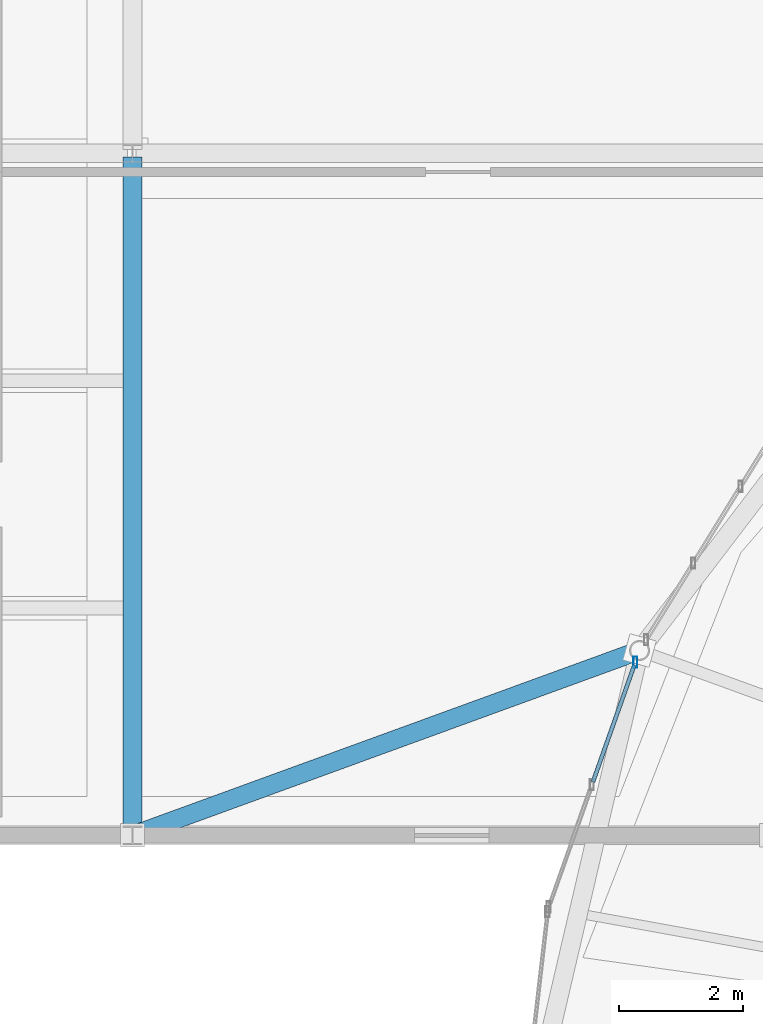
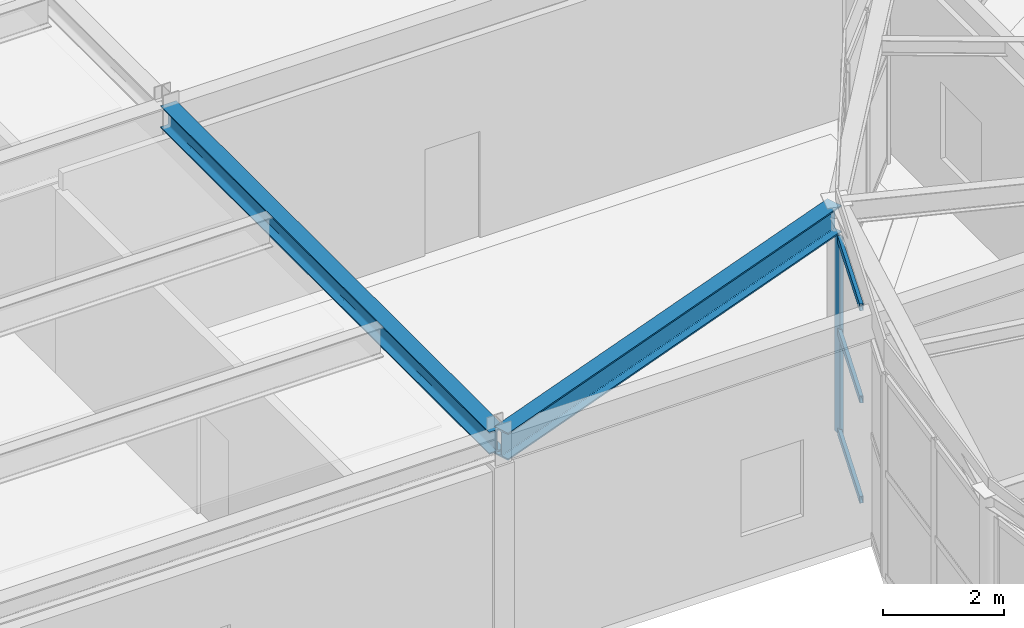
# One storey, part 33 of 108: 4 members, 2 beams, 1 element without a shape of its own.
"""IFC4 building model written with IfcOpenShell, lengths in metres."""

from ifc_helpers import new_model, si_unit, direction, frame, origin, origin_2d, place, context, subcontext, project, spatial, hollow_rectangle, i_section, extrude, material, material_profile, profile_set, type_object, element, aggregate, save


model = new_model("IFC4")

# Units and contexts
model_context = context("Model", 3, precision=1e-05, world=origin(), true_north=direction((0.0, 1.0)))
body_context = subcontext(model_context, "Body", "Model", "MODEL_VIEW")
ifc_project = project(units=[si_unit("LENGTHUNIT", "METRE"), si_unit("AREAUNIT", "SQUARE_METRE"), si_unit("VOLUMEUNIT", "CUBIC_METRE"), si_unit("PLANEANGLEUNIT", "RADIAN"), si_unit("MASSUNIT", "GRAM", prefix="KILO")], contexts=[model_context])

# Site, building, storey
site_placement = place(None, origin())
site = spatial("IfcSite", under=ifc_project, at=site_placement, CompositionType="ELEMENT")
building_placement = place(site_placement, origin())
building = spatial("IfcBuilding", under=site, at=building_placement, Name="Tarnveldt Headland Concert Hall", CompositionType="ELEMENT")
storey_placement = place(building_placement, frame((0.0, 0.0, 9.60009765625)))
storey = spatial("IfcBuildingStorey", under=building, at=storey_placement, Name="L02", CompositionType="ELEMENT", Elevation=9.60009765625)

# Curtain wall, member
ifc_material_1 = material(Name="Marine-anodised aluminium EN AW-6063-T6", Category="aluminium")
curtain_wall_type = type_object("IfcCurtainWallType", Name="CW-F3", PredefinedType="NOTDEFINED", material=ifc_material_1)
curtain_wall_placement = place(storey_placement, origin())
curtain_wall = element("IfcCurtainWall", 1, at=curtain_wall_placement, inside=storey, type_object=curtain_wall_type, Name="Curtain wall CW-L02-076", PredefinedType="NOTDEFINED")
ifc_material_profile_1 = material_profile(ifc_material_1, hollow_rectangle(XDim=0.06494140625, YDim=0.179931640625, WallThickness=0.00390625, at=origin_2d()), Name="ALU MULLION 65x180x4", Category="aluminium")
ifc_profile_set_1 = profile_set([ifc_material_profile_1], Name="Marine-anodised aluminium EN AW-6063-T6")
member_type_1 = type_object("IfcMemberType", Name="ML-180", PredefinedType="MULLION", material=ifc_profile_set_1)
member_1_placement = place(storey_placement, frame((52.610595703125, 62.791748046875, 0.0), z_axis=(0.0, 0.0, 1.0), x_axis=(1.0, 0.0, 0.0)))
member_1 = element("IfcMember", 2, at=member_1_placement, type_object=member_type_1, Name="Mullion CW-L02-076-1", PredefinedType="MULLION", context=body_context, shape_type="SweptSolid", body=[
    extrude(hollow_rectangle(XDim=0.06494140625, YDim=0.179931640625, WallThickness=0.00390625, at=origin_2d()), origin(), (0.0, 0.0, 1.0), 3.98779296875),
])

# Beams
ifc_material_2 = material(Name="Steel S355", Category="steel")
ifc_material_profile_2 = material_profile(ifc_material_2, i_section(OverallWidth=0.300048828125, OverallDepth=0.449951171875, WebThickness=0.013916015625, FlangeThickness=0.02587890625, FilletRadius=0.027099609375, at=origin_2d()), Name="HEB450", Category="steel")
ifc_profile_set_2 = profile_set([ifc_material_profile_2], Name="Steel S355")
beam_type_1 = type_object("IfcBeamType", Name="SB-HEB450", PredefinedType="BEAM", material=ifc_profile_set_2)
beam_1_placement = place(storey_placement, frame((44.5, 60.06005859375, 4.324951171875), z_axis=(0.0, 1.0, 0.0), x_axis=(-1.0, 0.0, 0.0)))
element("IfcBeam", 3, at=beam_1_placement, inside=storey, type_object=beam_type_1, Name="Framing beam L02-1217", PredefinedType="BEAM", context=body_context, shape_type="SweptSolid", body=[
    extrude(i_section(OverallWidth=0.300048828125, OverallDepth=0.449951171875, WebThickness=0.013916015625, FlangeThickness=0.02587890625, FilletRadius=0.027099609375, at=origin_2d()), origin(), (0.0, 0.0, 1.0), 10.8798828125),
])
ifc_material_profile_3 = material_profile(ifc_material_2, i_section(OverallWidth=0.300048828125, OverallDepth=0.550048828125, WebThickness=0.014892578125, FlangeThickness=0.029052734375, FilletRadius=0.027099609375, at=origin_2d()), Name="HEB550", Category="steel")
ifc_profile_set_3 = profile_set([ifc_material_profile_3], Name="Steel S355")
beam_type_2 = type_object("IfcBeamType", Name="SB-HEB550", PredefinedType="BEAM", material=ifc_profile_set_3)
beam_2_placement = place(storey_placement, frame((44.556396484375, 60.0205078125, 4.27490234375), z_axis=(0.939489146801, 0.34257866694, 0.0), x_axis=(-0.34257866694, 0.939489146801, 0.0)))
element("IfcBeam", 4, at=beam_2_placement, inside=storey, type_object=beam_type_2, Name="Framing beam L02-1227", PredefinedType="BEAM", context=body_context, shape_type="SweptSolid", body=[
    extrude(i_section(OverallWidth=0.300048828125, OverallDepth=0.550048828125, WebThickness=0.014892578125, FlangeThickness=0.029052734375, FilletRadius=0.027099609375, at=origin_2d()), origin(), (0.0, 0.0, 1.0), 8.584716796875),
])

# Member
ifc_material_profile_4 = material_profile(ifc_material_1, hollow_rectangle(XDim=0.06494140625, YDim=0.139892578125, WallThickness=0.00390625, at=origin_2d()), Name="ALU TRANSOM 65x140x4", Category="aluminium")
ifc_profile_set_4 = profile_set([ifc_material_profile_4], Name="Marine-anodised aluminium EN AW-6063-T6")
member_type_2 = type_object("IfcMemberType", Name="TR-140", PredefinedType="MEMBER", material=ifc_profile_set_4)
member_2_placement = place(storey_placement, frame((52.595703125, 62.749755859375, 0.0498046875), z_axis=(-0.333998157028, -0.942573727144, 0.0), x_axis=(0.942573727144, -0.333998157028, 0.0)))
member_2 = element("IfcMember", 5, at=member_2_placement, type_object=member_type_2, Name="Transom CW-L02-076-1-1", PredefinedType="MEMBER", context=body_context, shape_type="SweptSolid", body=[
    extrude(hollow_rectangle(XDim=0.06494140625, YDim=0.139892578125, WallThickness=0.00390625, at=origin_2d()), origin(), (0.0, 0.0, 1.0), 2.005126953125),
])

member_3_placement = place(storey_placement, frame((52.595703125, 62.749755859375, 2.07373046875), z_axis=(-0.333998157028, -0.942573727144, 0.0), x_axis=(0.942573727144, -0.333998157028, 0.0)))
member_3 = element("IfcMember", 6, at=member_3_placement, type_object=member_type_2, Name="Transom CW-L02-076-1-2", PredefinedType="MEMBER", context=body_context, shape_type="SweptSolid", body=[
    extrude(hollow_rectangle(XDim=0.06494140625, YDim=0.139892578125, WallThickness=0.00390625, at=origin_2d()), origin(), (0.0, 0.0, 1.0), 2.005126953125),
])

member_4_placement = place(storey_placement, frame((52.595703125, 62.749755859375, 3.93798828125), z_axis=(-0.333998157028, -0.942573727144, 0.0), x_axis=(0.942573727144, -0.333998157028, 0.0)))
member_4 = element("IfcMember", 7, at=member_4_placement, type_object=member_type_2, Name="Transom CW-L02-076-1-3", PredefinedType="MEMBER", context=body_context, shape_type="SweptSolid", body=[
    extrude(hollow_rectangle(XDim=0.06494140625, YDim=0.139892578125, WallThickness=0.00390625, at=origin_2d()), origin(), (0.0, 0.0, 1.0), 2.005126953125),
])

aggregate(curtain_wall, [member_1, member_2, member_3, member_4])

save(model, "model.ifc")
